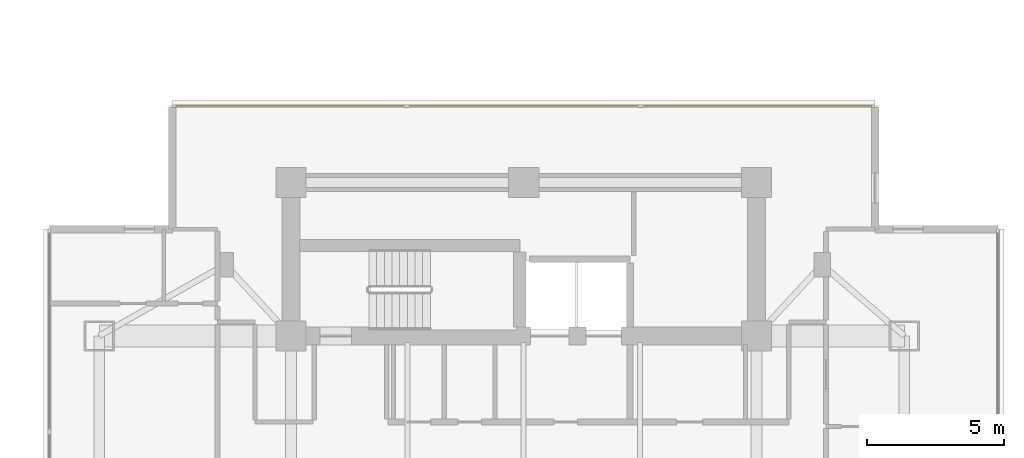
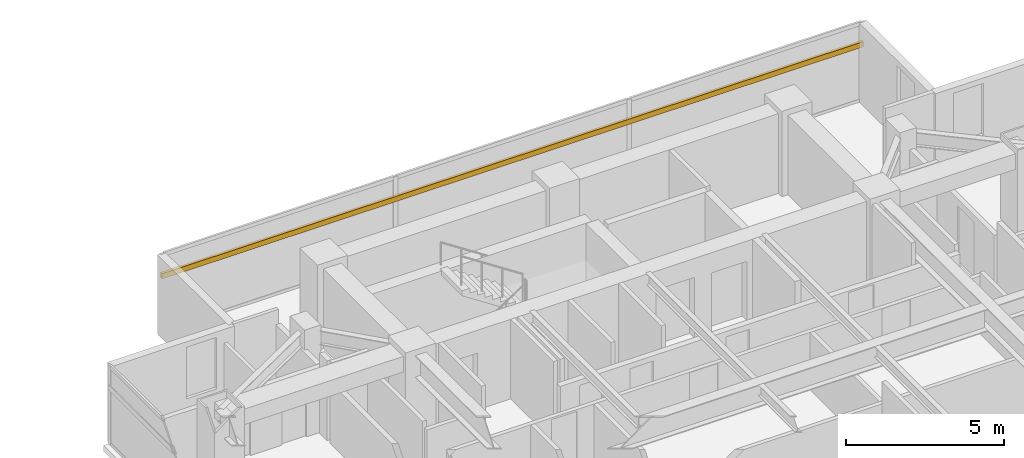
# One storey, part 27 of 27: 1 shading device.
"""IFC4 building model written with IfcOpenShell, lengths in metres."""

import ifcopenshell
import ifcopenshell.guid

model = None  # the IFC model being written
_history = None  # IfcOwnerHistory: only IFC2X3 demands one
_inside = {}  # id of a spatial element -> (the spatial element, [elements in it])
_under = {}  # id of a project, library or spatial element -> (it, [spatial elements below it])
_declared = {}  # id of a project -> (the project, [libraries it declares])
_typed = {}  # id of a type object -> (the type object, [elements of that type])
_made_of = {}  # id of a material, layer set ... -> (it, [elements and type objects made of it])


def new_model(schema):
    """Start an empty IFC model of exactly this schema.

    Asked for "IFC4X3", IfcOpenShell would pick the latest addendum, in which some entities
    have other attributes; the version numbers below select the first issue.
    IFC2X3 requires an IfcOwnerHistory on every rooted entity: one is made here for all.
    """
    global model, _history
    if schema == "IFC4X3":
        model = ifcopenshell.file(schema_version=(4, 3, 0, 0))
    else:
        model = ifcopenshell.file(schema=schema)
    _inside.clear()
    _under.clear()
    _declared.clear()
    _typed.clear()
    _made_of.clear()
    _history = None
    if model.schema == "IFC2X3":
        org = make("IfcOrganization", Name="unknown")
        user = make(
            "IfcPersonAndOrganization",
            ThePerson=make("IfcPerson", FamilyName="unknown"),
            TheOrganization=org,
        )
        app = make(
            "IfcApplication",
            ApplicationDeveloper=org,
            Version="unknown",
            ApplicationFullName="unknown",
            ApplicationIdentifier="unknown",
        )
        _history = make(
            "IfcOwnerHistory",
            OwningUser=user,
            OwningApplication=app,
            ChangeAction="ADDED",
            CreationDate=0,
        )
    return model


def make(cls, **values):
    """One entity of the class cls with the attributes given. An attribute that is None is left unset."""
    return model.create_entity(
        cls, **{name: value for name, value in values.items() if value is not None}
    )


def rooted(cls, **values):
    """An entity with a GlobalId (a new one), such as an element, a storey or a relation."""
    return make(cls, GlobalId=ifcopenshell.guid.new(), OwnerHistory=_history, **values)


def si_unit(unit_type, name, prefix=None):
    """IfcSIUnit, for example si_unit("LENGTHUNIT", "METRE", prefix="MILLI")."""
    return make("IfcSIUnit", UnitType=unit_type, Prefix=prefix, Name=name)


def assignment(units):
    """IfcUnitAssignment: the units of a project."""
    return None if units is None else make("IfcUnitAssignment", Units=units)


def point(xyz):
    """IfcCartesianPoint."""
    return None if xyz is None else make("IfcCartesianPoint", Coordinates=xyz)


def direction(xyz):
    """IfcDirection."""
    return None if xyz is None else make("IfcDirection", DirectionRatios=xyz)


def frame(location, z_axis=None, x_axis=None):
    """IfcAxis2Placement3D, a coordinate frame: its origin and axes. An axis left out is left unset."""
    return make(
        "IfcAxis2Placement3D",
        Location=point(location),
        Axis=direction(z_axis),
        RefDirection=direction(x_axis),
    )


def frame_2d(location, x_axis=None):
    """IfcAxis2Placement2D, a coordinate frame in the plane: its origin and x axis."""
    return make(
        "IfcAxis2Placement2D", Location=point(location), RefDirection=direction(x_axis)
    )


def origin():
    """The frame at (0, 0, 0) with its axes left unset."""
    return frame((0.0, 0.0, 0.0))


def origin_2d():
    """The frame at (0, 0) in the plane with its x axis left unset."""
    return frame_2d((0.0, 0.0))


def place(relative_to, where):
    """IfcLocalPlacement: puts the frame where relative to a parent placement (None: the world)."""
    return make(
        "IfcLocalPlacement", PlacementRelTo=relative_to, RelativePlacement=where
    )


def context(
    kind, dimensions, precision=None, world=None, true_north=None, identifier=None
):
    """IfcGeometricRepresentationContext, for example the 3D "Model" context."""
    return make(
        "IfcGeometricRepresentationContext",
        ContextIdentifier=identifier,
        ContextType=kind,
        CoordinateSpaceDimension=dimensions,
        Precision=precision,
        WorldCoordinateSystem=world,
        TrueNorth=true_north,
    )


def subcontext(parent, identifier, kind, view, scale=None):
    """IfcGeometricRepresentationSubContext, for example "Body" below "Model"."""
    return make(
        "IfcGeometricRepresentationSubContext",
        ContextIdentifier=identifier,
        ContextType=kind,
        ParentContext=parent,
        TargetScale=scale,
        TargetView=view,
    )


def project(units=None, contexts=None):
    """IfcProject with its units and contexts."""
    return rooted(
        "IfcProject",
        Name="project",
        RepresentationContexts=contexts,
        UnitsInContext=assignment(units),
    )


def spatial(cls, under=None, at=None, **own):
    """A site, building, storey or space (cls), placed at a placement, below another one or the project."""
    s = rooted(cls, ObjectPlacement=at, **own)
    if under is not None:
        _under.setdefault(under.id(), (under, []))[1].append(s)
    return s


def profile(cls, at=None, kind="AREA", **sizes):
    """A parametric profile (cls). Its sizes go by their IFC names, for example OverallWidth=200.0."""
    return make(cls, ProfileType=kind, Position=at, **sizes)


def rectangle(**sizes):
    """IfcRectangleProfileDef."""
    return profile("IfcRectangleProfileDef", **sizes)


def extrude(swept, where, along, depth):
    """IfcExtrudedAreaSolid: the profile swept, set in the frame where, extruded along a direction by depth."""
    return make(
        "IfcExtrudedAreaSolid",
        SweptArea=swept,
        Position=where,
        ExtrudedDirection=direction(along),
        Depth=depth,
    )


def shape(context_of_items, identifier, shape_type, items):
    """IfcShapeRepresentation: the items that make up one representation, for example the "Body"."""
    return make(
        "IfcShapeRepresentation",
        ContextOfItems=context_of_items,
        RepresentationIdentifier=identifier,
        RepresentationType=shape_type,
        Items=items,
    )


def material(Name=None, Category=None):
    """IfcMaterial."""
    return make("IfcMaterial", Name=Name, Category=Category)


def material_profile(
    of_material, cross_section, Name=None, Category=None, Priority=None
):
    """IfcMaterialProfile: a cross section and its material."""
    return make(
        "IfcMaterialProfile",
        Name=Name,
        Material=of_material,
        Profile=cross_section,
        Priority=Priority,
        Category=Category,
    )


def profile_set(profiles, Name=None, composite=None):
    """IfcMaterialProfileSet."""
    return make(
        "IfcMaterialProfileSet",
        Name=Name,
        MaterialProfiles=profiles,
        CompositeProfile=composite,
    )


def made_of(thing, what):
    """Note that an element or type object is made of a material, layer set ...; save() writes the relation."""
    if what is not None:
        _made_of.setdefault(what.id(), (what, []))[1].append(thing)
    return thing


def type_object(cls, material=None, **own):
    """A type object (cls), such as IfcWallType, which elements share."""
    return made_of(rooted(cls, **own), material)


def element(
    cls,
    number,
    at=None,
    inside=None,
    cuts=None,
    type_object=None,
    material=None,
    context=None,
    identifier="Body",
    shape_type=None,
    held_by="IfcProductDefinitionShape",
    body=None,
    shapes=None,
    **own,
):
    """One element of the class cls, such as IfcWall. Its Tag is "e" and its number.

    at: its placement. inside: the storey or other place that contains it. cuts: it is an
    opening in that element (IfcRelVoidsElement). A single representation is given by context,
    identifier, shape_type and body (its items); several are given by shapes. held_by: the class
    of the entity that holds the representations. save() writes the other relations.
    """
    e = rooted(cls, Tag="e%d" % number, ObjectPlacement=at, **own)
    if body is not None:
        shapes = [shape(context, identifier, shape_type, body)]
    if shapes is not None:
        e.Representation = make(held_by, Representations=shapes)
    if inside is not None:
        _inside.setdefault(inside.id(), (inside, []))[1].append(e)
    if cuts is not None:
        rooted(
            "IfcRelVoidsElement", RelatingBuildingElement=cuts, RelatedOpeningElement=e
        )
    if type_object is not None:
        _typed.setdefault(type_object.id(), (type_object, []))[1].append(e)
    return made_of(e, material)


def aggregate(whole, parts):
    """IfcRelAggregates: a whole, such as a stair, and the parts it consists of."""
    return rooted("IfcRelAggregates", RelatingObject=whole, RelatedObjects=parts)


def save(model, path):
    """Write the relations noted so far, then the file.

    IfcRelAggregates (storeys below a building ...), IfcRelContainedInSpatialStructure (elements
    in a storey), IfcRelDefinesByType, IfcRelAssociatesMaterial and IfcRelDeclares: one each for
    every whole, place, type object, material and project.
    """
    for whole, parts in _under.values():
        aggregate(whole, parts)
    for where, things in _inside.values():
        rooted(
            "IfcRelContainedInSpatialStructure",
            RelatedElements=things,
            RelatingStructure=where,
        )
    for kind, things in _typed.values():
        rooted("IfcRelDefinesByType", RelatedObjects=things, RelatingType=kind)
    for what, things in _made_of.values():
        rooted("IfcRelAssociatesMaterial", RelatedObjects=things, RelatingMaterial=what)
    for by, libraries in _declared.values():
        rooted("IfcRelDeclares", RelatingContext=by, RelatedDefinitions=libraries)
    model.write(path)


model = new_model("IFC4")

# Units and contexts
model_context = context("Model", 3, precision=1e-05, world=origin(), true_north=direction((0.0, 1.0)))
body_context = subcontext(model_context, "Body", "Model", "MODEL_VIEW")
ifc_project = project(units=[si_unit("LENGTHUNIT", "METRE"), si_unit("AREAUNIT", "SQUARE_METRE"), si_unit("VOLUMEUNIT", "CUBIC_METRE"), si_unit("PLANEANGLEUNIT", "RADIAN"), si_unit("MASSUNIT", "GRAM", prefix="KILO")], contexts=[model_context])

# Site, building, storey
site_placement = place(None, origin())
site = spatial("IfcSite", under=ifc_project, at=site_placement, CompositionType="ELEMENT")
building_placement = place(site_placement, origin())
building = spatial("IfcBuilding", under=site, at=building_placement, Name="Mirazonda Arch Towers", CompositionType="ELEMENT")
storey_placement = place(building_placement, frame((0.0, 0.0, 124.699951171875)))
storey = spatial("IfcBuildingStorey", under=building, at=storey_placement, Name="L35", CompositionType="ELEMENT", Elevation=124.699951171875)

# Shading device
ifc_material = material(Name="Kiln-Fired Architectural Terracotta", Category="masonry")
ifc_material_profile = material_profile(ifc_material, rectangle(XDim=0.10009765625, YDim=0.199951171875, at=origin_2d()), Name="TERRA-BAG-100x200")
ifc_profile_set = profile_set([ifc_material_profile], Name="Kiln-Fired Architectural Terracotta")
shading_device_type = type_object("IfcShadingDeviceType", Name="BAGUETTE-2", PredefinedType="USERDEFINED", material=ifc_profile_set)
shading_device_placement = place(storey_placement, frame((63.66552734375, 43.585693359375, 2.203369140625), z_axis=(1.0, 0.0, 0.0), x_axis=(0.0, 1.0, 0.0)))
element("IfcShadingDevice", 1, at=shading_device_placement, inside=storey, type_object=shading_device_type, Name="L35 Glazed Terracotta Sun-Screen Baguette CW-L35-T2-N", ObjectType="BAGUETTE", PredefinedType="USERDEFINED", context=body_context, shape_type="SweptSolid", body=[
    extrude(rectangle(XDim=0.10009765625, YDim=0.199951171875, at=origin_2d()), origin(), (0.0, 0.0, 1.0), 25.6689453125),
])

save(model, "model.ifc")
